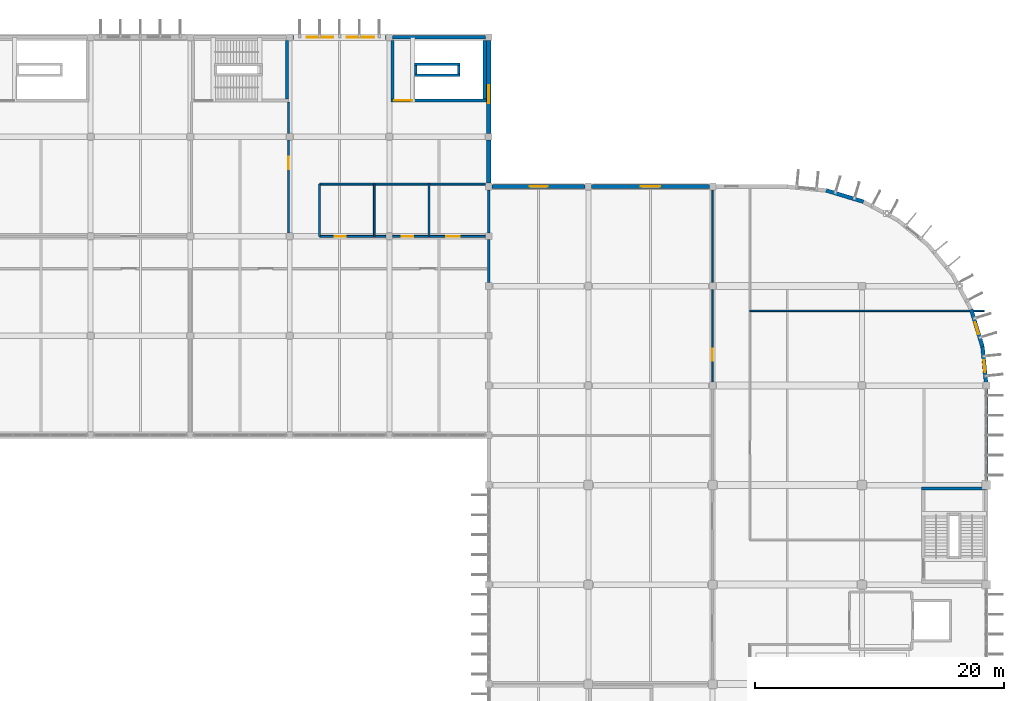
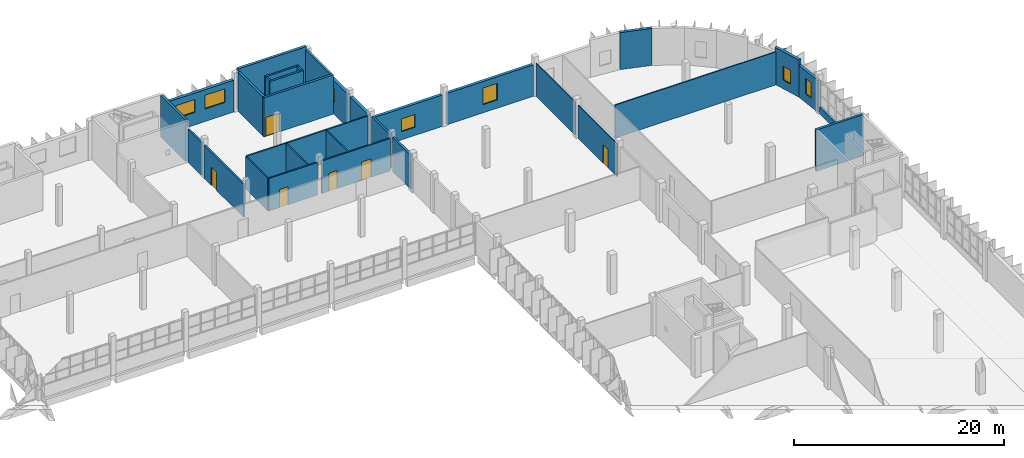
# One storey, part 76 of 93: 32 walls, 7 windows, 6 doors, 13 openings.
"""IFC4 building model written with IfcOpenShell, lengths in metres."""

from ifc_helpers import new_model, si_unit, direction, frame, frame_2d, origin, place, context, subcontext, project, spatial, rectangle, extrude, material, layer, layer_set, type_object, element, fill, save


model = new_model("IFC4")

# Units and contexts
model_context = context("Model", 3, precision=1e-05, world=origin(), true_north=direction((0.0, 1.0)))
body_context = subcontext(model_context, "Body", "Model", "MODEL_VIEW")
ifc_project = project(units=[si_unit("LENGTHUNIT", "METRE"), si_unit("AREAUNIT", "SQUARE_METRE"), si_unit("VOLUMEUNIT", "CUBIC_METRE"), si_unit("PLANEANGLEUNIT", "RADIAN"), si_unit("MASSUNIT", "GRAM", prefix="KILO")], contexts=[model_context])

# Site, building, storey
site_placement = place(None, origin())
site = spatial("IfcSite", under=ifc_project, at=site_placement, CompositionType="ELEMENT")
building_placement = place(site_placement, origin())
building = spatial("IfcBuilding", under=site, at=building_placement, Name="Drelvana Railside Aquatics Centre", CompositionType="ELEMENT")
storey_placement = place(building_placement, frame((0.0, 0.0, 5.39990234375)))
storey = spatial("IfcBuildingStorey", under=building, at=storey_placement, Name="L01", CompositionType="ELEMENT", Elevation=5.39990234375)

# Wall, opening, door
ifc_material_1 = material(Name="Concrete blockwork compartment wall", Category="masonry")
ifc_layer_1 = layer(ifc_material_1, 0.18505859375, Name="Concrete blockwork compartment wall")
ifc_layer_set_1 = layer_set([ifc_layer_1], Name="Concrete blockwork compartment wall")
wall_type_1 = type_object("IfcWallType", Name="WL-COMP-185", PredefinedType="STANDARD", material=ifc_layer_set_1)
wall_1_placement = place(storey_placement, frame((127.89990234375, 100.251953125, 0.0), z_axis=(0.0, 0.0, 1.0), x_axis=(0.0, 1.0, 0.0)))
wall_1 = element("IfcWall", 1, at=wall_1_placement, inside=storey, type_object=wall_type_1, Name="L01 Stair passage east wall", PredefinedType="STANDARD", context=body_context, shape_type="SweptSolid", body=[
    extrude(rectangle(XDim=7.49609375, YDim=0.18505859375, at=frame_2d((3.748046875, 0.0))), origin(), (0.0, 0.0, 1.0), 3.830078125),
])
opening_1_placement = place(wall_1_placement, frame((5.14794921875, 0.0, 0.0)))
opening_1 = element("IfcOpeningElement", 2, at=opening_1_placement, cuts=wall_1, Name="Opening D-13-179", PredefinedType="OPENING", context=body_context, shape_type="SweptSolid", body=[
    extrude(rectangle(XDim=0.97998046875, YDim=2.10009765625, at=frame_2d((0.489990234375, 1.050048828125))), frame((0.0, 0.1025390625, 0.0), z_axis=(0.0, -1.0, 0.0), x_axis=(1.0, 0.0, 0.0)), (0.0, 0.0, 1.0), 0.205078125),
])
ifc_material_2 = material(Name="Equipment store door", Category="wood")
door_type_1 = type_object("IfcDoorType", Name="DR-INT-STR-980x2100", OperationType="NOTDEFINED", PredefinedType="DOOR", material=ifc_material_2)
door_1_placement = place(opening_1_placement, origin())
door_1 = element("IfcDoor", 3, at=door_1_placement, inside=storey, type_object=door_type_1, Name="L01 Towel and kit store door D-13-179", OperationType="SINGLE_SWING_RIGHT", OverallHeight=2.10009765625, OverallWidth=0.97998046875, PredefinedType="DOOR", context=body_context, shape_type="SweptSolid", body=[
    extrude(rectangle(XDim=0.97998046875, YDim=2.10009765625, at=frame_2d((0.489990234375, 1.050048828125))), frame((0.0, 0.02490234375, 0.0), z_axis=(0.0, -1.0, 0.0), x_axis=(1.0, 0.0, 0.0)), (0.0, 0.0, 1.0), 0.050048828125),
])
fill(opening_1, door_1)

# Walls
wall_2_placement = place(storey_placement, frame((127.89990234375, 108.251953125, 0.0), z_axis=(0.0, 0.0, 1.0), x_axis=(0.0, 1.0, 0.0)))
element("IfcWall", 4, at=wall_2_placement, inside=storey, type_object=wall_type_1, Name="L01 Stair passage east wall", PredefinedType="STANDARD", context=body_context, shape_type="SweptSolid", body=[
    extrude(rectangle(XDim=2.546142578125, YDim=0.18505859375, at=frame_2d((1.27294921875, 0.0))), origin(), (0.0, 0.0, 1.0), 3.830078125),
])
ifc_material_3 = material(Name="Autoclaved aerated concrete masonry", Category="masonry")
ifc_layer_2 = layer(ifc_material_3, 0.22509765625, Name="Autoclaved aerated concrete masonry")
ifc_layer_set_2 = layer_set([ifc_layer_2], Name="Autoclaved aerated concrete masonry")
wall_type_2 = type_object("IfcWallType", Name="WL-COMP-225", PredefinedType="STANDARD", material=ifc_layer_set_2)
for number, where, z_axis, x_axis, name in (
    (5, (144.0, 96.277099609375, 0.0), (0.0, 0.0, 1.0), (0.0, 1.0, 0.0), "L01 Changing-Wing compartment wall"),
    (6, (144.0, 100.251953125, 0.0), (0.0, 0.0, 1.0), (0.0, 1.0, 0.0), "L01 Changing-Wing compartment wall"),
):
    element("IfcWall", number, at=place(storey_placement, frame(where, z_axis=z_axis, x_axis=x_axis)), inside=storey, type_object=wall_type_2, Name=name, PredefinedType="STANDARD", context=body_context, shape_type="SweptSolid", body=[
        extrude(rectangle(XDim=3.470947265625, YDim=0.22509765625, at=frame_2d((1.7353515625, 0.0))), origin(), (0.0, 0.0, 1.0), 3.97998046875),
    ])
ifc_material_4 = material(Name="Concrete C40/50", Category="concrete")
ifc_layer_3 = layer(ifc_material_4, 0.25, Name="Concrete C40/50")
ifc_layer_set_3 = layer_set([ifc_layer_3], Name="Concrete C40/50")
wall_type_3 = type_object("IfcWallType", Name="WL-CORE-250", PredefinedType="SHEAR", material=ifc_layer_set_3)
wall_3_placement = place(storey_placement, frame((127.77490234375, 111.050048828125, 0.0), z_axis=(0.0, 0.0, 1.0), x_axis=(0.0, 1.0, 0.0)))
element("IfcWall", 7, at=wall_3_placement, inside=storey, type_object=wall_type_3, Name="Core 5 Changing Pavilion North E core wall (L01)", PredefinedType="SHEAR", context=body_context, shape_type="SweptSolid", body=[
    extrude(rectangle(XDim=4.699951171875, YDim=0.25, at=frame_2d((2.35009765625, 0.0))), origin(), (0.0, 0.0, 1.0), 4.800048828125),
])
wall_4_placement = place(storey_placement, frame((178.800048828125, 79.715087890625, 0.0), z_axis=(0.0, 0.0, 1.0), x_axis=(1.0, 0.0, 0.0)))
element("IfcWall", 8, at=wall_4_placement, inside=storey, type_object=wall_type_3, Name="Core 7 Federation Wing Avenue-East N core wall (L01)", PredefinedType="SHEAR", context=body_context, shape_type="SweptSolid", body=[
    extrude(rectangle(XDim=5.199951171875, YDim=0.25, at=frame_2d((2.60009765625, 0.0))), origin(), (0.0, 0.0, 1.0), 4.800048828125),
])

# Wall, opening, door
wall_5_placement = place(storey_placement, frame((136.14990234375, 110.925048828125, 0.0), z_axis=(0.0, 0.0, 1.0), x_axis=(1.0, 0.0, 0.0)))
wall_5 = element("IfcWall", 9, at=wall_5_placement, inside=storey, type_object=wall_type_3, Name="Core 12 Changing Pavilion North-East S core wall (L01)", PredefinedType="SHEAR", context=body_context, shape_type="SweptSolid", body=[
    extrude(rectangle(XDim=7.650146484375, YDim=0.25, at=frame_2d((3.8251953125, 0.0))), origin(), (0.0, 0.0, 1.0), 4.550048828125),
])
opening_2_placement = place(wall_5_placement, frame((0.25, 0.0, 0.0)))
opening_2 = element("IfcOpeningElement", 10, at=opening_2_placement, cuts=wall_5, Name="Opening D-01-094", PredefinedType="OPENING", context=body_context, shape_type="SweptSolid", body=[
    extrude(rectangle(XDim=1.449951171875, YDim=2.199951171875, at=frame_2d((0.72509765625, 1.10009765625))), frame((0.0, 0.135009765625, 0.0), z_axis=(0.0, -1.0, 0.0), x_axis=(1.0, 0.0, 0.0)), (0.0, 0.0, 1.0), 0.27001953125),
])
ifc_material_5 = material(Name="Fire-rated steel and vision-panel door", Category="steel")
door_type_2 = type_object("IfcDoorType", Name="DR-INT-STAIR-1450x2200", OperationType="DOUBLE_DOOR_SINGLE_SWING", PredefinedType="DOOR", material=ifc_material_5)
door_2_placement = place(opening_2_placement, origin())
door_2 = element("IfcDoor", 11, at=door_2_placement, inside=storey, type_object=door_type_2, Name="Stair ST-12 lobby door D-01-094", OperationType="DOUBLE_DOOR_SINGLE_SWING", OverallHeight=2.199951171875, OverallWidth=1.449951171875, PredefinedType="DOOR", context=body_context, shape_type="SweptSolid", body=[
    extrude(rectangle(XDim=1.449951171875, YDim=2.199951171875, at=frame_2d((0.72509765625, 1.10009765625))), frame((0.0, 0.02490234375, 0.0), z_axis=(0.0, -1.0, 0.0), x_axis=(1.0, 0.0, 0.0)), (0.0, 0.0, 1.0), 0.050048828125),
])
fill(opening_2, door_2)

# Walls
for number, where, z_axis, x_axis, name in (
    (12, (136.27490234375, 111.050048828125, 0.0), (0.0, 0.0, 1.0), (0.0, 1.0, 0.0), "Core 12 Changing Pavilion North-East W core wall (L01)"),
    (13, (143.675048828125, 111.050048828125, 0.0), (0.0, 0.0, 1.0), (0.0, 1.0, 0.0), "Core 12 Changing Pavilion North-East E core wall (L01)"),
):
    element("IfcWall", number, at=place(storey_placement, frame(where, z_axis=z_axis, x_axis=x_axis)), inside=storey, type_object=wall_type_3, Name=name, PredefinedType="SHEAR", context=body_context, shape_type="SweptSolid", body=[
        extrude(rectangle(XDim=4.699951171875, YDim=0.25, at=frame_2d((2.35009765625, 0.0))), origin(), (0.0, 0.0, 1.0), 4.550048828125),
    ])
ifc_layer_4 = layer(ifc_material_4, 0.300048828125, Name="Concrete C40/50")
ifc_layer_set_4 = layer_set([ifc_layer_4], Name="Concrete C40/50")
wall_type_4 = type_object("IfcWallType", Name="WL-CORE-300", PredefinedType="SHEAR", material=ifc_layer_set_4)
wall_6_placement = place(storey_placement, frame((136.24609375, 116.0, 0.0), z_axis=(0.0, 0.0, 1.0), x_axis=(1.0, 0.0, 0.0)))
element("IfcWall", 14, at=wall_6_placement, inside=storey, type_object=wall_type_4, Name="Core 12 north L01 shear wall", PredefinedType="SHEAR", context=body_context, shape_type="SweptSolid", body=[
    extrude(rectangle(XDim=7.5078125, YDim=0.300048828125, at=frame_2d((3.75390625, 0.0))), origin(), (0.0, 0.0, 1.0), 4.800048828125),
])

# Wall, opening, door
ifc_material_6 = material(Name="Acoustic twin-stud gypsum partition", Category="gypsum")
ifc_layer_5 = layer(ifc_material_6, 0.1201171875, Name="Acoustic twin-stud gypsum partition")
ifc_layer_set_5 = layer_set([ifc_layer_5], Name="Acoustic twin-stud gypsum partition")
wall_type_5 = type_object("IfcWallType", Name="WL-DRY-120", PredefinedType="PARTITIONING", material=ifc_layer_set_5)
wall_7_placement = place(storey_placement, frame((162.0, 88.277099609375, 0.0), z_axis=(0.0, 0.0, 1.0), x_axis=(0.0, 1.0, 0.0)))
wall_7 = element("IfcWall", 15, at=wall_7_placement, inside=storey, type_object=wall_type_5, Name="V5 L01 west corridor wall", PredefinedType="PARTITIONING", context=body_context, shape_type="SweptSolid", body=[
    extrude(rectangle(XDim=7.44580078125, YDim=0.1201171875, at=frame_2d((3.722900390625, 0.0))), origin(), (0.0, 0.0, 1.0), 3.830078125),
])
opening_3_placement = place(wall_7_placement, frame((1.722900390625, 0.0, 0.0)))
opening_3 = element("IfcOpeningElement", 16, at=opening_3_placement, cuts=wall_7, Name="Opening D-10-215", PredefinedType="OPENING", context=body_context, shape_type="SweptSolid", body=[
    extrude(rectangle(XDim=0.949951171875, YDim=2.14990234375, at=frame_2d((0.47509765625, 1.074951171875))), frame((0.0, 0.070068359375, 0.0), z_axis=(0.0, -1.0, 0.0), x_axis=(1.0, 0.0, 0.0)), (0.0, 0.0, 1.0), 0.14013671875),
])
ifc_material_7 = material(Name="Timber veneer office door", Category="wood")
door_type_3 = type_object("IfcDoorType", Name="DR-INT-OFF-950x2150", OperationType="NOTDEFINED", PredefinedType="DOOR", material=ifc_material_7)
door_3_placement = place(opening_3_placement, origin())
door_3 = element("IfcDoor", 17, at=door_3_placement, inside=storey, type_object=door_type_3, Name="Fitness assessment office door D-10-215", OperationType="SINGLE_SWING_RIGHT", OverallHeight=2.14990234375, OverallWidth=0.949951171875, PredefinedType="DOOR", context=body_context, shape_type="SweptSolid", body=[
    extrude(rectangle(XDim=0.949951171875, YDim=2.14990234375, at=frame_2d((0.47509765625, 1.074951171875))), frame((0.0, 0.02490234375, 0.0), z_axis=(0.0, -1.0, 0.0), x_axis=(1.0, 0.0, 0.0)), (0.0, 0.0, 1.0), 0.050048828125),
])
fill(opening_3, door_3)

# Walls
wall_8_placement = place(storey_placement, frame((162.0, 96.277099609375, 0.0), z_axis=(0.0, 0.0, 1.0), x_axis=(0.0, 1.0, 0.0)))
element("IfcWall", 18, at=wall_8_placement, inside=storey, type_object=wall_type_5, Name="V5 L01 west corridor wall", PredefinedType="PARTITIONING", context=body_context, shape_type="SweptSolid", body=[
    extrude(rectangle(XDim=7.44580078125, YDim=0.1201171875, at=frame_2d((3.722900390625, 0.0))), origin(), (0.0, 0.0, 1.0), 3.830078125),
])
wall_9_placement = place(storey_placement, frame((165.0, 94.0, 0.0), z_axis=(0.0, 0.0, 1.0), x_axis=(1.0, 0.0, 0.0)))
element("IfcWall", 19, at=wall_9_placement, inside=storey, type_object=wall_type_5, Name="L01 East room divider", PredefinedType="PARTITIONING", context=body_context, shape_type="SweptSolid", body=[
    extrude(rectangle(XDim=18.840087890625, YDim=0.1201171875, at=frame_2d((9.419921875, 0.0))), origin(), (0.0, 0.0, 1.0), 3.830078125),
])
ifc_material_8 = material(Name="Glazed ceramic spandrel wall", Category="masonry")
ifc_layer_6 = layer(ifc_material_8, 0.27001953125, Name="Glazed ceramic spandrel wall")
ifc_layer_set_6 = layer_set([ifc_layer_6], Name="Glazed ceramic spandrel wall")
wall_type_6 = type_object("IfcWallType", Name="WL-EXT-270", PredefinedType="STANDARD", material=ifc_layer_set_6)
wall_10_placement = place(storey_placement, frame((184.0, 80.345947265625, 0.0), z_axis=(0.0, 0.0, 1.0), x_axis=(0.0, 1.0, 0.0)))
element("IfcWall", 20, at=wall_10_placement, inside=storey, type_object=wall_type_6, Name="V5 East L01 sill spandrel", PredefinedType="STANDARD", context=body_context, shape_type="SweptSolid", body=[
    extrude(rectangle(XDim=7.383056640625, YDim=0.27001953125, at=frame_2d((3.69140625, 0.0))), origin(), (0.0, 0.0, 1.0), 0.800048828125),
])

# Wall, opening, window
ifc_material_9 = material(Name="Terracotta rainscreen masonry wall", Category="masonry")
ifc_layer_7 = layer(ifc_material_9, 0.31005859375, Name="Terracotta rainscreen masonry wall")
ifc_layer_set_7 = layer_set([ifc_layer_7], Name="Terracotta rainscreen masonry wall")
wall_type_7 = type_object("IfcWallType", Name="WL-EXT-310", PredefinedType="STANDARD", material=ifc_layer_set_7)
wall_11_placement = place(storey_placement, frame((184.0, 88.0, 0.0), z_axis=(0.0, 0.0, 1.0), x_axis=(-0.098000751113, 0.995186340733, 0.0)))
wall_11 = element("IfcWall", 21, at=wall_11_placement, inside=storey, type_object=wall_type_7, Name="V5NE curved wall 1", PredefinedType="STANDARD", context=body_context, shape_type="SweptSolid", body=[
    extrude(rectangle(XDim=3.136474609375, YDim=0.31005859375, at=frame_2d((1.568359375, 0.0))), origin(), (0.0, 0.0, 1.0), 3.68017578125),
])
opening_4_placement = place(wall_11_placement, frame((1.09326171875, 0.0, 1.0)))
opening_4 = element("IfcOpeningElement", 22, at=opening_4_placement, cuts=wall_11, Name="Opening W-03", PredefinedType="OPENING", context=body_context, shape_type="SweptSolid", body=[
    extrude(rectangle(XDim=0.949951171875, YDim=1.800048828125, at=frame_2d((0.47509765625, 0.89990234375))), frame((0.0, 0.1650390625, 0.0), z_axis=(0.0, -1.0, 0.0), x_axis=(1.0, 0.0, 0.0)), (0.0, 0.0, 1.0), 0.330078125),
])
ifc_material_10 = material(Name="Double-glazed solar-control aluminium window", Category="aluminium")
window_type_1 = type_object("IfcWindowType", Name="WIN-03", PartitioningType="SINGLE_PANEL", PredefinedType="WINDOW", material=ifc_material_10)
window_1_placement = place(opening_4_placement, origin())
window_1 = element("IfcWindow", 23, at=window_1_placement, inside=storey, type_object=window_type_1, Name="V5NE curved window WIN-03", OverallHeight=1.800048828125, OverallWidth=0.949951171875, PartitioningType="SINGLE_PANEL", PredefinedType="WINDOW", context=body_context, shape_type="SweptSolid", body=[
    extrude(rectangle(XDim=0.949951171875, YDim=1.800048828125, at=frame_2d((0.47509765625, 0.89990234375))), frame((0.0, 0.030029296875, 0.0), z_axis=(0.0, -1.0, 0.0), x_axis=(1.0, 0.0, 0.0)), (0.0, 0.0, 1.0), 0.06005859375),
])
fill(opening_4, window_1)

wall_12_placement = place(storey_placement, frame((183.692626953125, 91.121337890625, 0.0), z_axis=(0.0, 0.0, 1.0), x_axis=(-0.29030980253, 0.956932713703, 0.0)))
wall_12 = element("IfcWall", 24, at=wall_12_placement, inside=storey, type_object=wall_type_7, Name="V5NE curved wall 2", PredefinedType="STANDARD", context=body_context, shape_type="SweptSolid", body=[
    extrude(rectangle(XDim=3.13671875, YDim=0.31005859375, at=frame_2d((1.568359375, 0.0))), origin(), (0.0, 0.0, 1.0), 4.300048828125),
])
opening_5_placement = place(wall_12_placement, frame((1.068359375, 0.0, 1.0)))
opening_5 = element("IfcOpeningElement", 25, at=opening_5_placement, cuts=wall_12, Name="Opening W-04", PredefinedType="OPENING", context=body_context, shape_type="SweptSolid", body=[
    extrude(rectangle(XDim=1.0, YDim=1.60009765625, at=frame_2d((0.5, 0.800048828125))), frame((0.0, 0.1650390625, 0.0), z_axis=(0.0, -1.0, 0.0), x_axis=(1.0, 0.0, 0.0)), (0.0, 0.0, 1.0), 0.330078125),
])
window_type_2 = type_object("IfcWindowType", Name="WIN-04", PartitioningType="SINGLE_PANEL", PredefinedType="WINDOW", material=ifc_material_10)
window_2_placement = place(opening_5_placement, origin())
window_2 = element("IfcWindow", 26, at=window_2_placement, inside=storey, type_object=window_type_2, Name="V5NE curved window WIN-04", OverallHeight=1.60009765625, OverallWidth=1.0, PartitioningType="SINGLE_PANEL", PredefinedType="WINDOW", context=body_context, shape_type="SweptSolid", body=[
    extrude(rectangle(XDim=1.0, YDim=1.60009765625, at=frame_2d((0.5, 0.800048828125))), frame((0.0, 0.030029296875, 0.0), z_axis=(0.0, -1.0, 0.0), x_axis=(1.0, 0.0, 0.0)), (0.0, 0.0, 1.0), 0.06005859375),
])
fill(opening_5, window_2)

# Wall
wall_13_placement = place(storey_placement, frame((174.123046875, 102.781982421875, 0.0), z_axis=(0.0, 0.0, 1.0), x_axis=(-0.956932713703, 0.29030980253, 0.0)))
element("IfcWall", 27, at=wall_13_placement, inside=storey, type_object=wall_type_7, Name="V5NE curved wall 7", PredefinedType="STANDARD", context=body_context, shape_type="SweptSolid", body=[
    extrude(rectangle(XDim=3.13671875, YDim=0.31005859375, at=frame_2d((1.568359375, 0.0))), origin(), (0.0, 0.0, 1.0), 4.300048828125),
])

# Wall, opening, window
wall_14_placement = place(storey_placement, frame((144.27099609375, 104.0, 0.0), z_axis=(0.0, 0.0, 1.0), x_axis=(1.0, 0.0, 0.0)))
wall_14 = element("IfcWall", 28, at=wall_14_placement, inside=storey, type_object=wall_type_7, Name="V5 L01 end bay wall", PredefinedType="STANDARD", context=body_context, shape_type="SweptSolid", body=[
    extrude(rectangle(XDim=7.4580078125, YDim=0.31005859375, at=frame_2d((3.72900390625, 0.0))), origin(), (0.0, 0.0, 1.0), 3.650146484375),
])
opening_6_placement = place(wall_14_placement, frame((3.00390625, 0.0, 0.949951171875)))
opening_6 = element("IfcOpeningElement", 29, at=opening_6_placement, cuts=wall_14, Name="Opening W-16", PredefinedType="OPENING", context=body_context, shape_type="SweptSolid", body=[
    extrude(rectangle(XDim=1.449951171875, YDim=1.5, at=frame_2d((0.72509765625, 0.75))), frame((0.0, 0.1650390625, 0.0), z_axis=(0.0, -1.0, 0.0), x_axis=(1.0, 0.0, 0.0)), (0.0, 0.0, 1.0), 0.330078125),
])
window_type_3 = type_object("IfcWindowType", Name="WIN-16", PartitioningType="SINGLE_PANEL", PredefinedType="WINDOW", material=ifc_material_10)
window_3_placement = place(opening_6_placement, origin())
window_3 = element("IfcWindow", 30, at=window_3_placement, inside=storey, type_object=window_type_3, Name="V5 L01 end window WIN-16", OverallHeight=1.5, OverallWidth=1.449951171875, PartitioningType="SINGLE_PANEL", PredefinedType="WINDOW", context=body_context, shape_type="SweptSolid", body=[
    extrude(rectangle(XDim=1.449951171875, YDim=1.5, at=frame_2d((0.72509765625, 0.75))), frame((0.0, 0.030029296875, 0.0), z_axis=(0.0, -1.0, 0.0), x_axis=(1.0, 0.0, 0.0)), (0.0, 0.0, 1.0), 0.06005859375),
])
fill(opening_6, window_3)

wall_15_placement = place(storey_placement, frame((152.27099609375, 104.0, 0.0), z_axis=(0.0, 0.0, 1.0), x_axis=(1.0, 0.0, 0.0)))
wall_15 = element("IfcWall", 31, at=wall_15_placement, inside=storey, type_object=wall_type_7, Name="V5 L01 end bay wall", PredefinedType="STANDARD", context=body_context, shape_type="SweptSolid", body=[
    extrude(rectangle(XDim=9.4580078125, YDim=0.31005859375, at=frame_2d((4.72900390625, 0.0))), origin(), (0.0, 0.0, 1.0), 3.650146484375),
])
opening_7_placement = place(wall_15_placement, frame((3.9541015625, 0.0, 0.949951171875)))
opening_7 = element("IfcOpeningElement", 32, at=opening_7_placement, cuts=wall_15, Name="Opening W-18", PredefinedType="OPENING", context=body_context, shape_type="SweptSolid", body=[
    extrude(rectangle(XDim=1.550048828125, YDim=1.949951171875, at=frame_2d((0.77490234375, 0.97509765625))), frame((0.0, 0.1650390625, 0.0), z_axis=(0.0, -1.0, 0.0), x_axis=(1.0, 0.0, 0.0)), (0.0, 0.0, 1.0), 0.330078125),
])
window_type_4 = type_object("IfcWindowType", Name="WIN-18", PartitioningType="SINGLE_PANEL", PredefinedType="WINDOW", material=ifc_material_10)
window_4_placement = place(opening_7_placement, origin())
window_4 = element("IfcWindow", 33, at=window_4_placement, inside=storey, type_object=window_type_4, Name="V5 L01 end window WIN-18", OverallHeight=1.949951171875, OverallWidth=1.550048828125, PartitioningType="SINGLE_PANEL", PredefinedType="WINDOW", context=body_context, shape_type="SweptSolid", body=[
    extrude(rectangle(XDim=1.550048828125, YDim=1.949951171875, at=frame_2d((0.77490234375, 0.97509765625))), frame((0.0, 0.030029296875, 0.0), z_axis=(0.0, -1.0, 0.0), x_axis=(1.0, 0.0, 0.0)), (0.0, 0.0, 1.0), 0.06005859375),
])
fill(opening_7, window_4)

# Wall, openings, windows
ifc_material_11 = material(Name="Abuja granite ashlar cavity wall", Category="masonry")
ifc_layer_8 = layer(ifc_material_11, 0.330078125, Name="Abuja granite ashlar cavity wall")
ifc_layer_set_8 = layer_set([ifc_layer_8], Name="Abuja granite ashlar cavity wall")
wall_type_8 = type_object("IfcWallType", Name="WL-EXT-330", PredefinedType="STANDARD", material=ifc_layer_set_8)
wall_16_placement = place(storey_placement, frame((128.24609375, 116.0, 0.0), z_axis=(0.0, 0.0, 1.0), x_axis=(1.0, 0.0, 0.0)))
wall_16 = element("IfcWall", 34, at=wall_16_placement, inside=storey, type_object=wall_type_8, Name="Changing L01 north wall 128", PredefinedType="STANDARD", context=body_context, shape_type="SweptSolid", body=[
    extrude(rectangle(XDim=7.5078125, YDim=0.330078125, at=frame_2d((3.75390625, 0.0))), origin(), (0.0, 0.0, 1.0), 3.7001953125),
])
opening_8_placement = place(wall_16_placement, frame((1.134033203125, 0.0, 1.449951171875)))
opening_8 = element("IfcOpeningElement", 35, at=opening_8_placement, cuts=wall_16, Name="Opening W-25", PredefinedType="OPENING", context=body_context, shape_type="SweptSolid", body=[
    extrude(rectangle(XDim=2.10009765625, YDim=1.5, at=frame_2d((1.050048828125, 0.75))), frame((0.0, 0.175048828125, 0.0), z_axis=(0.0, -1.0, 0.0), x_axis=(1.0, 0.0, 0.0)), (0.0, 0.0, 1.0), 0.35009765625),
])
opening_9_placement = place(wall_16_placement, frame((4.333984375, 0.0, 1.449951171875)))
opening_9 = element("IfcOpeningElement", 36, at=opening_9_placement, cuts=wall_16, Name="Opening W-26", PredefinedType="OPENING", context=body_context, shape_type="SweptSolid", body=[
    extrude(rectangle(XDim=2.199951171875, YDim=1.60009765625, at=frame_2d((1.10009765625, 0.800048828125))), frame((0.0, 0.175048828125, 0.0), z_axis=(0.0, -1.0, 0.0), x_axis=(1.0, 0.0, 0.0)), (0.0, 0.0, 1.0), 0.35009765625),
])
window_type_5 = type_object("IfcWindowType", Name="WIN-25", PartitioningType="SINGLE_PANEL", PredefinedType="WINDOW", material=ifc_material_10)
window_5_placement = place(opening_8_placement, origin())
window_5 = element("IfcWindow", 37, at=window_5_placement, inside=storey, type_object=window_type_5, Name="Changing high-level window WIN-25", OverallHeight=1.5, OverallWidth=2.10009765625, PartitioningType="SINGLE_PANEL", PredefinedType="WINDOW", context=body_context, shape_type="SweptSolid", body=[
    extrude(rectangle(XDim=2.10009765625, YDim=1.5, at=frame_2d((1.050048828125, 0.75))), frame((0.0, 0.030029296875, 0.0), z_axis=(0.0, -1.0, 0.0), x_axis=(1.0, 0.0, 0.0)), (0.0, 0.0, 1.0), 0.06005859375),
])
fill(opening_8, window_5)
window_type_6 = type_object("IfcWindowType", Name="WIN-26", PartitioningType="SINGLE_PANEL", PredefinedType="WINDOW", material=ifc_material_10)
window_6_placement = place(opening_9_placement, origin())
window_6 = element("IfcWindow", 38, at=window_6_placement, inside=storey, type_object=window_type_6, Name="Changing high-level window WIN-26", OverallHeight=1.60009765625, OverallWidth=2.199951171875, PartitioningType="SINGLE_PANEL", PredefinedType="WINDOW", context=body_context, shape_type="SweptSolid", body=[
    extrude(rectangle(XDim=2.199951171875, YDim=1.60009765625, at=frame_2d((1.10009765625, 0.800048828125))), frame((0.0, 0.030029296875, 0.0), z_axis=(0.0, -1.0, 0.0), x_axis=(1.0, 0.0, 0.0)), (0.0, 0.0, 1.0), 0.06005859375),
])
fill(opening_9, window_6)

# Wall
wall_17_placement = place(storey_placement, frame((144.0, 104.27099609375, 0.0), z_axis=(0.0, 0.0, 1.0), x_axis=(0.0, 1.0, 0.0)))
element("IfcWall", 39, at=wall_17_placement, inside=storey, type_object=wall_type_8, Name="Changing pavilion L01 east end wall 104", PredefinedType="STANDARD", context=body_context, shape_type="SweptSolid", body=[
    extrude(rectangle(XDim=3.48291015625, YDim=0.330078125, at=frame_2d((1.741455078125, 0.0))), origin(), (0.0, 0.0, 1.0), 3.85009765625),
])

# Wall, opening, window
wall_18_placement = place(storey_placement, frame((144.0, 108.24609375, 0.0), z_axis=(0.0, 0.0, 1.0), x_axis=(0.0, 1.0, 0.0)))
wall_18 = element("IfcWall", 40, at=wall_18_placement, inside=storey, type_object=wall_type_8, Name="Changing pavilion L01 east end wall 108", PredefinedType="STANDARD", context=body_context, shape_type="SweptSolid", body=[
    extrude(rectangle(XDim=7.5078125, YDim=0.330078125, at=frame_2d((3.75390625, 0.0))), origin(), (0.0, 0.0, 1.0), 3.85009765625),
])
opening_10_placement = place(wall_18_placement, frame((2.43408203125, 0.0, 1.449951171875)))
opening_10 = element("IfcOpeningElement", 41, at=opening_10_placement, cuts=wall_18, Name="Opening W-16", PredefinedType="OPENING", context=body_context, shape_type="SweptSolid", body=[
    extrude(rectangle(XDim=1.449951171875, YDim=1.5, at=frame_2d((0.72509765625, 0.75))), frame((0.0, 0.175048828125, 0.0), z_axis=(0.0, -1.0, 0.0), x_axis=(1.0, 0.0, 0.0)), (0.0, 0.0, 1.0), 0.35009765625),
])
window_7_placement = place(opening_10_placement, origin())
window_7 = element("IfcWindow", 42, at=window_7_placement, inside=storey, type_object=window_type_3, Name="Changing L01 east window WIN-16", OverallHeight=1.5, OverallWidth=1.449951171875, PartitioningType="SINGLE_PANEL", PredefinedType="WINDOW", context=body_context, shape_type="SweptSolid", body=[
    extrude(rectangle(XDim=1.449951171875, YDim=1.5, at=frame_2d((0.72509765625, 0.75))), frame((0.0, 0.030029296875, 0.0), z_axis=(0.0, -1.0, 0.0), x_axis=(1.0, 0.0, 0.0)), (0.0, 0.0, 1.0), 0.06005859375),
])
fill(opening_10, window_7)

# Walls
ifc_layer_9 = layer(ifc_material_4, 0.199951171875, Name="Concrete C40/50")
ifc_layer_set_9 = layer_set([ifc_layer_9], Name="Concrete C40/50")
wall_type_9 = type_object("IfcWallType", Name="WL-SHFT-200", PredefinedType="SHEAR", material=ifc_layer_set_9)
for number, where, z_axis, x_axis, name in (
    (43, (138.02001953125, 112.949951171875, 0.0), (0.0, 0.0, 1.0), (1.0, 0.0, 0.0), "Stair ST-12 central spine wall A (L01)"),
    (44, (138.02001953125, 113.85009765625, 0.0), (0.0, 0.0, 1.0), (1.0, 0.0, 0.0), "Stair ST-12 central spine wall B (L01)"),
):
    element("IfcWall", number, at=place(storey_placement, frame(where, z_axis=z_axis, x_axis=x_axis)), inside=storey, type_object=wall_type_9, Name=name, PredefinedType="SHEAR", context=body_context, shape_type="SweptSolid", body=[
        extrude(rectangle(XDim=3.669921875, YDim=0.199951171875, at=frame_2d((1.8349609375, 0.0))), origin(), (0.0, 0.0, 1.0), 4.550048828125),
    ])
for number, where, z_axis, x_axis, name in (
    (45, (138.1201171875, 113.050048828125, 0.0), (0.0, 0.0, 1.0), (0.0, 1.0, 0.0), "Stair ST-12 central spine wall W (L01)"),
    (46, (141.590087890625, 113.050048828125, 0.0), (0.0, 0.0, 1.0), (0.0, 1.0, 0.0), "Stair ST-12 central spine wall E (L01)"),
):
    element("IfcWall", number, at=place(storey_placement, frame(where, z_axis=z_axis, x_axis=x_axis)), inside=storey, type_object=wall_type_9, Name=name, PredefinedType="SHEAR", context=body_context, shape_type="SweptSolid", body=[
        extrude(rectangle(XDim=0.699951171875, YDim=0.199951171875, at=frame_2d((0.35009765625, 0.0))), origin(), (0.0, 0.0, 1.0), 4.550048828125),
    ])
ifc_material_12 = material(Name="Moisture-resistant tiled plumbing chase wall", Category="masonry")
ifc_layer_10 = layer(ifc_material_12, 0.139892578125, Name="Moisture-resistant tiled plumbing chase wall")
ifc_layer_set_10 = layer_set([ifc_layer_10], Name="Moisture-resistant tiled plumbing chase wall")
wall_type_10 = type_object("IfcWallType", Name="WL-WET-140", PredefinedType="PLUMBINGWALL", material=ifc_layer_set_10)
for number, where, z_axis, x_axis, name in (
    (47, (130.39990234375, 100.0, 0.0), (0.0, 0.0, 1.0), (0.0, 1.0, 0.0), "L01 Changing WC divider"),
    (48, (134.800048828125, 100.0, 0.0), (0.0, 0.0, 1.0), (0.0, 1.0, 0.0), "L01 Changing WC divider"),
    (49, (139.199951171875, 100.0, 0.0), (0.0, 0.0, 1.0), (0.0, 1.0, 0.0), "L01 Changing WC divider"),
):
    element("IfcWall", number, at=place(storey_placement, frame(where, z_axis=z_axis, x_axis=x_axis)), inside=storey, type_object=wall_type_10, Name=name, PredefinedType="PLUMBINGWALL", context=body_context, shape_type="SweptSolid", body=[
        extrude(rectangle(XDim=4.199951171875, YDim=0.139892578125, at=frame_2d((2.10009765625, 0.0))), origin(), (0.0, 0.0, 1.0), 3.780029296875),
    ])

# Wall, opening, door
ifc_material_13 = material(Name="Water-resistant ceramic-tiled block partition", Category="masonry")
ifc_layer_11 = layer(ifc_material_13, 0.159912109375, Name="Water-resistant ceramic-tiled block partition")
ifc_layer_set_11 = layer_set([ifc_layer_11], Name="Water-resistant ceramic-tiled block partition")
wall_type_11 = type_object("IfcWallType", Name="WL-WET-160", PredefinedType="PARTITIONING", material=ifc_layer_set_11)
wall_19_placement = place(storey_placement, frame((130.39990234375, 100.0, 0.0), z_axis=(0.0, 0.0, 1.0), x_axis=(1.0, 0.0, 0.0)))
wall_19 = element("IfcWall", 50, at=wall_19_placement, inside=storey, type_object=wall_type_11, Name="L01 Changing north-east WC corridor wall", PredefinedType="PARTITIONING", context=body_context, shape_type="SweptSolid", body=[
    extrude(rectangle(XDim=5.34814453125, YDim=0.159912109375, at=frame_2d((2.674072265625, 0.0))), origin(), (0.0, 0.0, 1.0), 3.780029296875),
])
opening_11_placement = place(wall_19_placement, frame((1.199951171875, 0.0, 0.0)))
opening_11 = element("IfcOpeningElement", 51, at=opening_11_placement, cuts=wall_19, Name="Opening D-11-176", PredefinedType="OPENING", context=body_context, shape_type="SweptSolid", body=[
    extrude(rectangle(XDim=0.919921875, YDim=2.10009765625, at=frame_2d((0.4599609375, 1.050048828125))), frame((0.0, 0.08984375, 0.0), z_axis=(0.0, -1.0, 0.0), x_axis=(1.0, 0.0, 0.0)), (0.0, 0.0, 1.0), 0.179931640625),
])
ifc_material_14 = material(Name="Moisture-resistant laminate WC door", Category="wood")
door_type_4 = type_object("IfcDoorType", Name="DR-INT-WC-920x2100", OperationType="NOTDEFINED", PredefinedType="DOOR", material=ifc_material_14)
door_4_placement = place(opening_11_placement, origin())
door_4 = element("IfcDoor", 52, at=door_4_placement, inside=storey, type_object=door_type_4, Name="L01 Changing Male WC door D-11-176", OperationType="SINGLE_SWING_LEFT", OverallHeight=2.10009765625, OverallWidth=0.919921875, PredefinedType="DOOR", context=body_context, shape_type="SweptSolid", body=[
    extrude(rectangle(XDim=0.919921875, YDim=2.10009765625, at=frame_2d((0.4599609375, 1.050048828125))), frame((0.0, 0.02490234375, 0.0), z_axis=(0.0, -1.0, 0.0), x_axis=(1.0, 0.0, 0.0)), (0.0, 0.0, 1.0), 0.050048828125),
])
fill(opening_11, door_4)

# Wall, openings, doors
wall_20_placement = place(storey_placement, frame((136.251953125, 100.0, 0.0), z_axis=(0.0, 0.0, 1.0), x_axis=(1.0, 0.0, 0.0)))
wall_20 = element("IfcWall", 53, at=wall_20_placement, inside=storey, type_object=wall_type_11, Name="L01 Changing north-east WC corridor wall", PredefinedType="PARTITIONING", context=body_context, shape_type="SweptSolid", body=[
    extrude(rectangle(XDim=7.49609375, YDim=0.159912109375, at=frame_2d((3.748046875, 0.0))), origin(), (0.0, 0.0, 1.0), 3.780029296875),
])
opening_12_placement = place(wall_20_placement, frame((0.748046875, 0.0, 0.0)))
opening_12 = element("IfcOpeningElement", 54, at=opening_12_placement, cuts=wall_20, Name="Opening D-11-177", PredefinedType="OPENING", context=body_context, shape_type="SweptSolid", body=[
    extrude(rectangle(XDim=0.919921875, YDim=2.10009765625, at=frame_2d((0.4599609375, 1.050048828125))), frame((0.0, 0.08984375, 0.0), z_axis=(0.0, -1.0, 0.0), x_axis=(1.0, 0.0, 0.0)), (0.0, 0.0, 1.0), 0.179931640625),
])
opening_13_placement = place(wall_20_placement, frame((4.347900390625, 0.0, 0.0)))
opening_13 = element("IfcOpeningElement", 55, at=opening_13_placement, cuts=wall_20, Name="Opening D-12-178", PredefinedType="OPENING", context=body_context, shape_type="SweptSolid", body=[
    extrude(rectangle(XDim=1.050048828125, YDim=2.14990234375, at=frame_2d((0.52490234375, 1.074951171875))), frame((0.0, 0.08984375, 0.0), z_axis=(0.0, -1.0, 0.0), x_axis=(1.0, 0.0, 0.0)), (0.0, 0.0, 1.0), 0.179931640625),
])
ifc_material_15 = material(Name="Accessible toilet outward-opening door", Category="wood")
door_type_5 = type_object("IfcDoorType", Name="DR-INT-AWC-1050x2150", OperationType="NOTDEFINED", PredefinedType="DOOR", material=ifc_material_15)
door_5_placement = place(opening_13_placement, origin())
door_5 = element("IfcDoor", 56, at=door_5_placement, inside=storey, type_object=door_type_5, Name="L01 Changing Accessible WC door D-12-178", OperationType="SINGLE_SWING_LEFT", OverallHeight=2.14990234375, OverallWidth=1.050048828125, PredefinedType="DOOR", context=body_context, shape_type="SweptSolid", body=[
    extrude(rectangle(XDim=1.050048828125, YDim=2.14990234375, at=frame_2d((0.52490234375, 1.074951171875))), frame((0.0, 0.02490234375, 0.0), z_axis=(0.0, -1.0, 0.0), x_axis=(1.0, 0.0, 0.0)), (0.0, 0.0, 1.0), 0.050048828125),
])
fill(opening_13, door_5)
door_6_placement = place(opening_12_placement, origin())
door_6 = element("IfcDoor", 57, at=door_6_placement, inside=storey, type_object=door_type_4, Name="L01 Changing Female WC door D-11-177", OperationType="SINGLE_SWING_RIGHT", OverallHeight=2.10009765625, OverallWidth=0.919921875, PredefinedType="DOOR", context=body_context, shape_type="SweptSolid", body=[
    extrude(rectangle(XDim=0.919921875, YDim=2.10009765625, at=frame_2d((0.4599609375, 1.050048828125))), frame((0.0, 0.02490234375, 0.0), z_axis=(0.0, -1.0, 0.0), x_axis=(1.0, 0.0, 0.0)), (0.0, 0.0, 1.0), 0.050048828125),
])
fill(opening_12, door_6)

# Wall
wall_21_placement = place(storey_placement, frame((130.39990234375, 104.199951171875, 0.0), z_axis=(0.0, 0.0, 1.0), x_axis=(1.0, 0.0, 0.0)))
element("IfcWall", 58, at=wall_21_placement, inside=storey, type_object=wall_type_11, Name="L01 Changing WC back wall", PredefinedType="PARTITIONING", context=body_context, shape_type="SweptSolid", body=[
    extrude(rectangle(XDim=13.322998046875, YDim=0.159912109375, at=frame_2d((6.66162109375, 0.0))), origin(), (0.0, 0.0, 1.0), 3.830078125),
])

save(model, "model.ifc")
